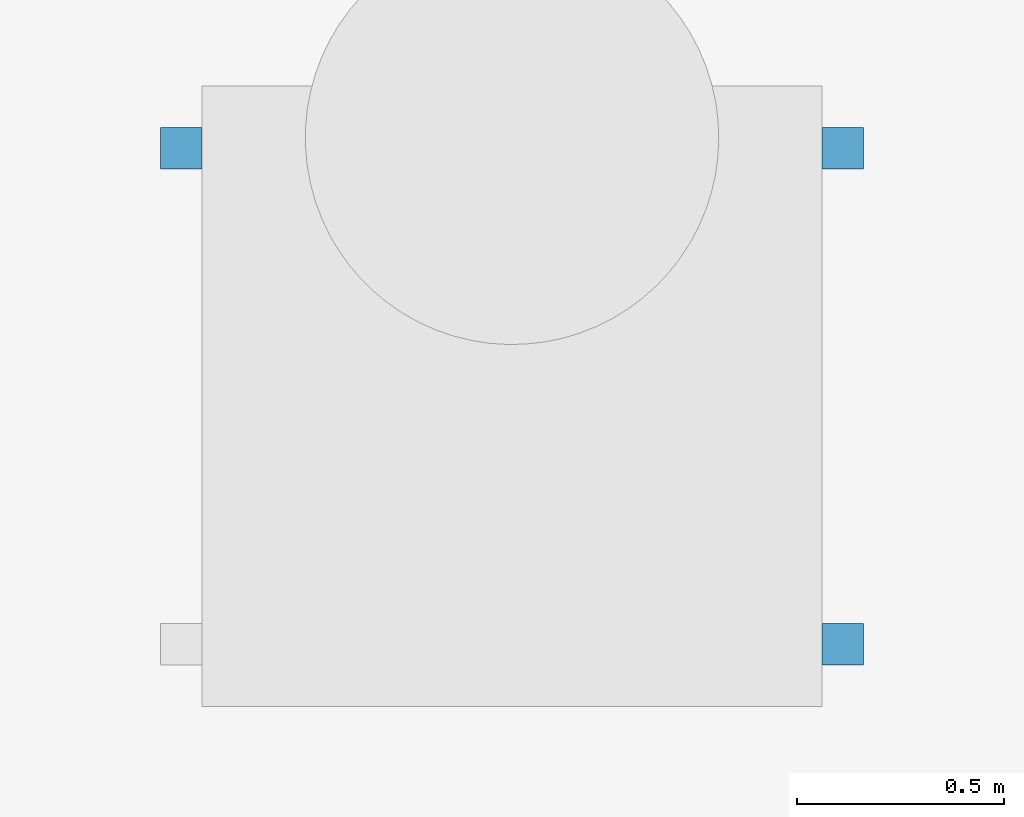
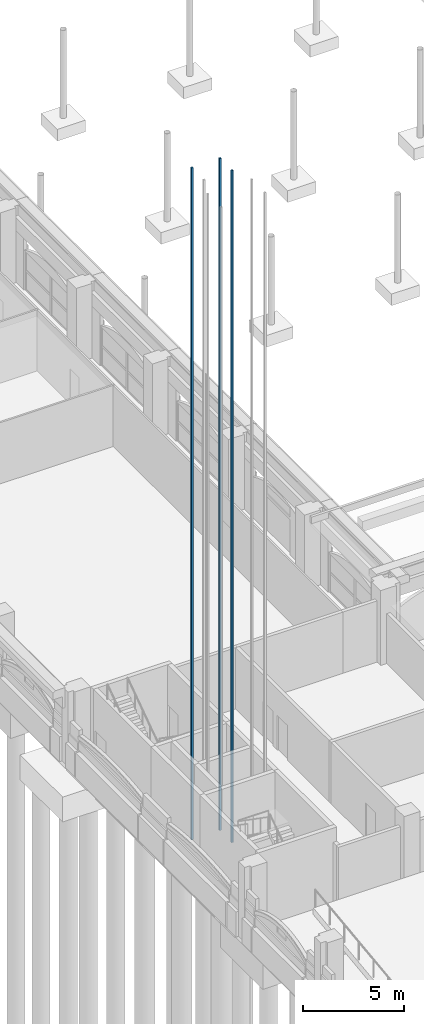
# One storey, part 50 of 99: 3 discrete accessories.
"""IFC4 building model written with IfcOpenShell, lengths in metres."""

from ifc_helpers import new_model, si_unit, direction, frame, origin, origin_2d, place, context, subcontext, project, spatial, rectangle, extrude, material, type_object, element, save


model = new_model("IFC4")

# Units and contexts
model_context = context("Model", 3, precision=1e-05, world=origin(), true_north=direction((0.0, 1.0)))
body_context = subcontext(model_context, "Body", "Model", "MODEL_VIEW")
ifc_project = project(units=[si_unit("LENGTHUNIT", "METRE"), si_unit("AREAUNIT", "SQUARE_METRE"), si_unit("VOLUMEUNIT", "CUBIC_METRE"), si_unit("PLANEANGLEUNIT", "RADIAN"), si_unit("MASSUNIT", "GRAM", prefix="KILO")], contexts=[model_context])

# Site, building, storey
site_placement = place(None, origin())
site = spatial("IfcSite", under=ifc_project, at=site_placement, CompositionType="ELEMENT")
building_placement = place(site_placement, origin())
building = spatial("IfcBuilding", under=site, at=building_placement, Name="Cour d'Honneur Mobility Palace", CompositionType="ELEMENT")
storey_placement = place(building_placement, origin())
storey = spatial("IfcBuildingStorey", under=building, at=storey_placement, Name="L00", CompositionType="ELEMENT", Elevation=0.0)

# Discrete accessories
ifc_material = material(Name="Steel S355", Category="steel")
discrete_accessory_type = type_object("IfcDiscreteAccessoryType", Name="Lift guide rail", PredefinedType="USERDEFINED", material=ifc_material)
for number, where, z_axis, x_axis, name in (
    (1, (2.425048828125, 55.39990234375, -1.39990234375), (0.0, 0.0, 1.0), (1.0, 0.0, 0.0), "Guide rail LF-CW2"),
    (2, (4.02490234375, 54.199951171875, -1.39990234375), (0.0, 0.0, 1.0), (1.0, 0.0, 0.0), "Guide rail LF-CW2"),
    (3, (4.02490234375, 55.39990234375, -1.39990234375), (0.0, 0.0, 1.0), (1.0, 0.0, 0.0), "Guide rail LF-CW2"),
):
    element("IfcDiscreteAccessory", number, at=place(storey_placement, frame(where, z_axis=z_axis, x_axis=x_axis)), inside=storey, type_object=discrete_accessory_type, Name=name, ObjectType="GUIDE RAIL", PredefinedType="USERDEFINED", context=body_context, shape_type="SweptSolid", body=[
        extrude(rectangle(XDim=0.10009765625, YDim=0.10009765625, at=origin_2d()), origin(), (0.0, 0.0, 1.0), 40.449951171875),
    ])

save(model, "model.ifc")
